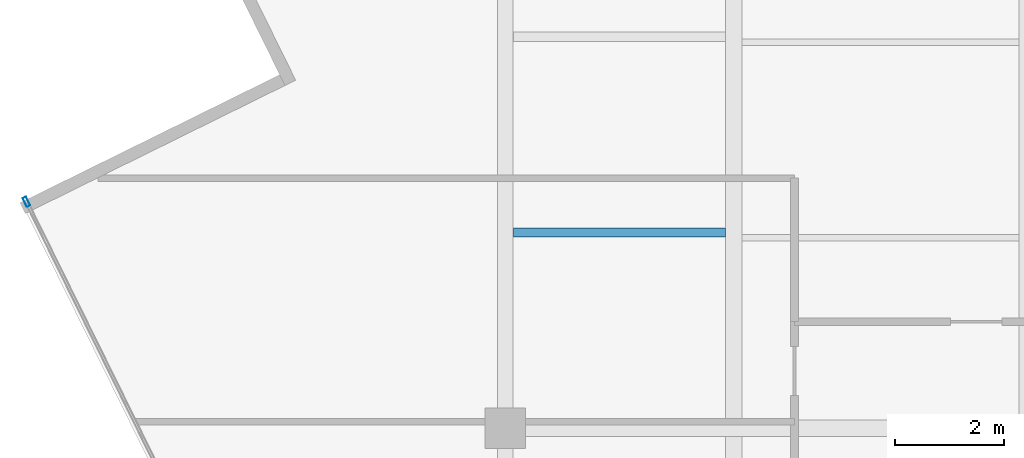
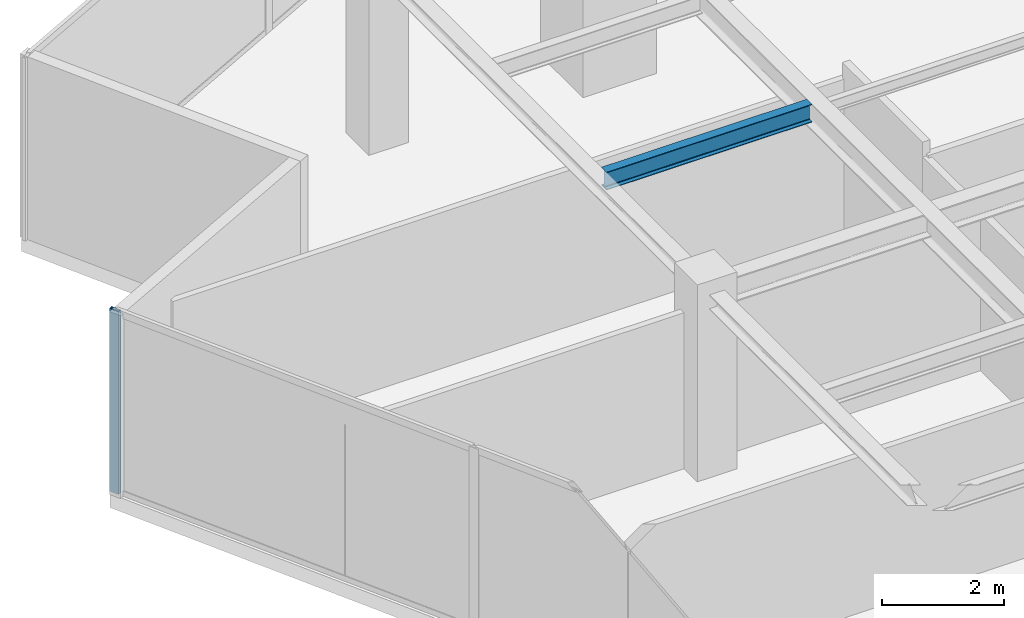
# One storey, part 6 of 22: 1 beam, 1 member, 1 element without a shape of its own.
"""IFC4 building model written with IfcOpenShell, lengths in metres."""

from ifc_helpers import new_model, si_unit, direction, frame, origin, origin_2d, place, context, subcontext, project, spatial, hollow_rectangle, i_section, extrude, source, transform, mapped, material, material_profile, profile_set, type_object, type_shapes, element, aggregate, save


model = new_model("IFC4")

# Units and contexts
model_context = context("Model", 3, precision=1e-05, world=origin(), true_north=direction((0.0, 1.0)))
body_context = subcontext(model_context, "Body", "Model", "MODEL_VIEW")
ifc_project = project(units=[si_unit("LENGTHUNIT", "METRE"), si_unit("AREAUNIT", "SQUARE_METRE"), si_unit("VOLUMEUNIT", "CUBIC_METRE"), si_unit("PLANEANGLEUNIT", "RADIAN"), si_unit("MASSUNIT", "GRAM", prefix="KILO")], contexts=[model_context])

# Site, building, storey
site_placement = place(None, origin())
site = spatial("IfcSite", under=ifc_project, at=site_placement, CompositionType="ELEMENT")
building_placement = place(site_placement, origin())
building = spatial("IfcBuilding", under=site, at=building_placement, Name="Krantzveldt Concourse Tower", CompositionType="ELEMENT")
storey_placement = place(building_placement, frame((0.0, 0.0, 310.85009765625)))
storey = spatial("IfcBuildingStorey", under=building, at=storey_placement, Name="L76", CompositionType="ELEMENT", Elevation=310.85009765625)

# Beam
ifc_material_1 = material(Name="Steel S355JR", Category="steel")
ifc_material_profile_1 = material_profile(ifc_material_1, i_section(OverallWidth=0.169921875, OverallDepth=0.360107421875, WebThickness=0.008056640625, FlangeThickness=0.0126953125, FilletRadius=0.01806640625, at=origin_2d()), Name="Steel S355JR", Category="steel")
ifc_profile_set_1 = profile_set([ifc_material_profile_1], Name="Steel S355JR - IPE 360")
beam_type = type_object("IfcBeamType", Name="BM-J-IPE360", PredefinedType="JOIST", material=ifc_profile_set_1)
shared_shape_1 = source(origin(), body_context, "Body", "SweptSolid", [
    extrude(i_section(OverallWidth=0.169921875, OverallDepth=0.360107421875, WebThickness=0.008056640625, FlangeThickness=0.0126953125, FilletRadius=0.01806640625, at=origin_2d()), origin(), (0.0, 0.0, 1.0), 3.900146484375),
])
type_shapes(beam_type, [shared_shape_1])
beam_placement = place(storey_placement, frame((21.14990234375, 30.300048828125, 3.489990234375), z_axis=(1.0, 0.0, 0.0), x_axis=(0.0, 1.0, 0.0)))
element("IfcBeam", 1, at=beam_placement, inside=storey, type_object=beam_type, Name="L76 Secondary Floor Joist JW-3", PredefinedType="JOIST", context=body_context, shape_type="MappedRepresentation", body=[
    mapped(shared_shape_1, transform((0.0, 0.0, 0.0), x_axis=(1.0, 0.0, 0.0), y_axis=(0.0, 1.0, 0.0), z_axis=(0.0, 0.0, 1.0), scale=1.0)),
])

# Curtain wall, member
ifc_material_2 = material(Name="Anodised aluminium 6063-T6", Category="aluminium")
curtain_wall_type = type_object("IfcCurtainWallType", Name="CW4", PredefinedType="USERDEFINED", material=ifc_material_2)
curtain_wall_placement = place(storey_placement, origin())
curtain_wall = element("IfcCurtainWall", 2, at=curtain_wall_placement, inside=storey, type_object=curtain_wall_type, Name="CW-L76-F04", ObjectType="UNITISED CURTAIN WALL", PredefinedType="USERDEFINED")
ifc_material_profile_2 = material_profile(ifc_material_2, hollow_rectangle(XDim=0.070068359375, YDim=0.179931640625, WallThickness=0.0048828125, at=origin_2d()), Name="Anodised aluminium 6063-T6", Category="aluminium")
ifc_profile_set_2 = profile_set([ifc_material_profile_2], Name="Anodised aluminium 6063-T6 - ALU-MULL 180x70x5")
member_type = type_object("IfcMemberType", Name="CW-MUL-180", PredefinedType="MULLION", material=ifc_profile_set_2)
shared_shape_2 = source(origin(), body_context, "Body", "SweptSolid", [
    extrude(hollow_rectangle(XDim=0.070068359375, YDim=0.179931640625, WallThickness=0.0048828125, at=origin_2d()), origin(), (0.0, 0.0, 1.0), 3.669921875),
])
type_shapes(member_type, [shared_shape_2])
member_placement = place(storey_placement, frame((12.19287109375, 30.86474609375, 0.0), z_axis=(0.0, 0.0, 1.0), x_axis=(0.896872829457, 0.442288511927, 0.0)))
member = element("IfcMember", 3, at=member_placement, type_object=member_type, Name="CW-Z56 mullion 1", PredefinedType="MULLION", context=body_context, shape_type="MappedRepresentation", body=[
    mapped(shared_shape_2, transform((0.0, 0.0, 0.0), x_axis=(1.0, 0.0, 0.0), y_axis=(0.0, 1.0, 0.0), z_axis=(0.0, 0.0, 1.0), scale=1.0)),
])
aggregate(curtain_wall, [member])

save(model, "model.ifc")
